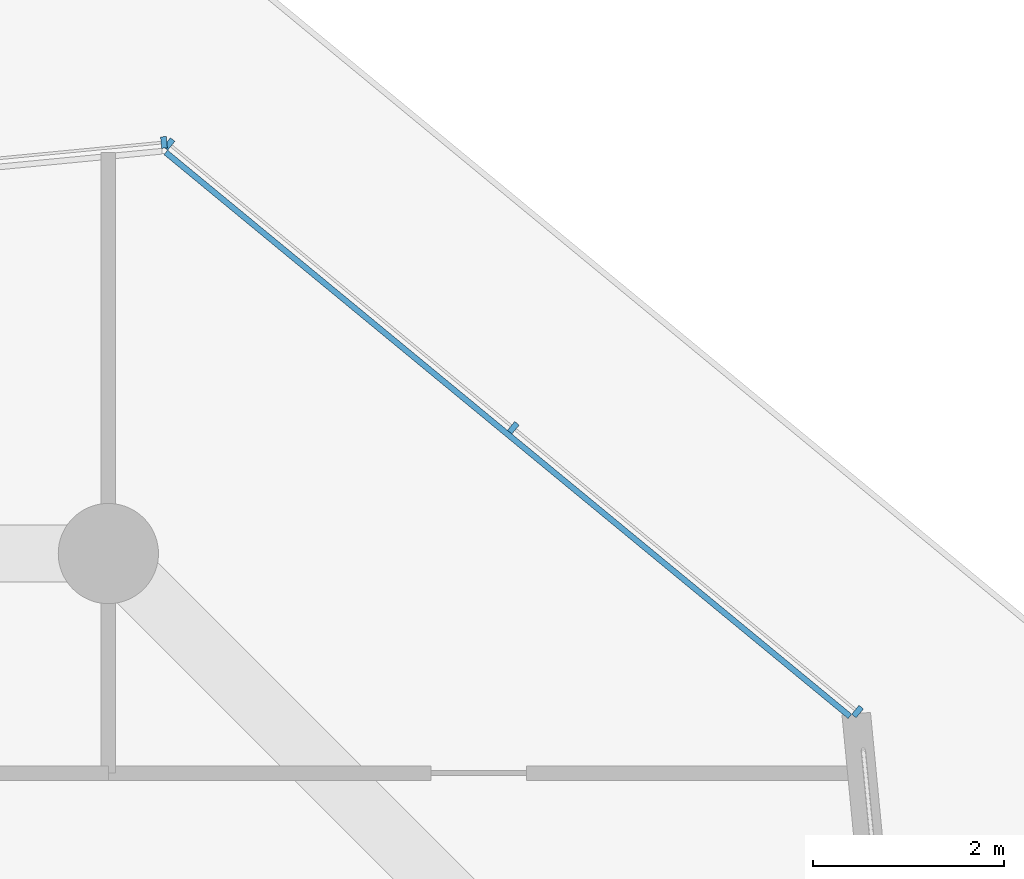
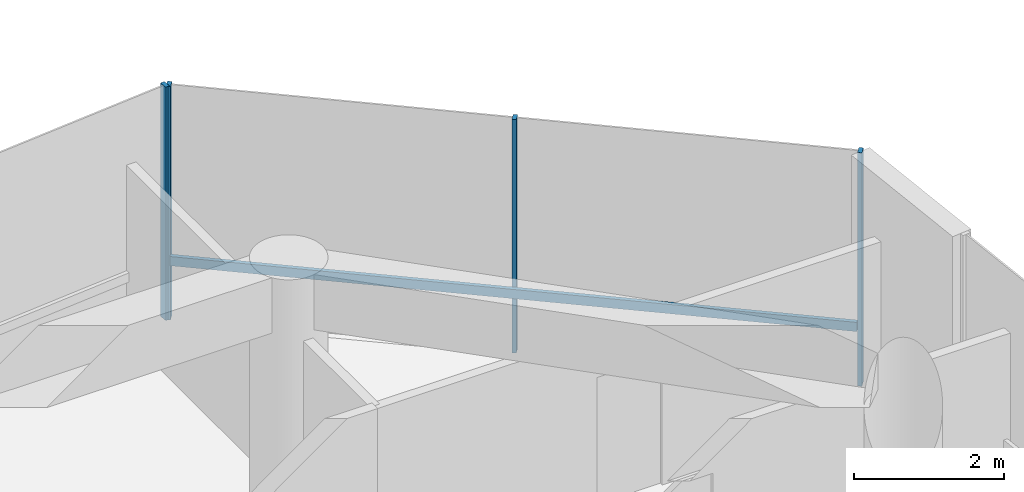
# One storey, part 20 of 30: 5 members, 2 elements without a shape of their own.
"""IFC4 building model written with IfcOpenShell, lengths in metres."""

from ifc_helpers import new_model, si_unit, direction, frame, origin, origin_2d, place, context, subcontext, project, spatial, rectangle, extrude, material, layer, layer_set, material_profile, profile_set, type_object, element, aggregate, save


model = new_model("IFC4")

# Units and contexts
model_context = context("Model", 3, precision=1e-05, world=origin(), true_north=direction((0.0, 1.0)))
body_context = subcontext(model_context, "Body", "Model", "MODEL_VIEW")
ifc_project = project(units=[si_unit("LENGTHUNIT", "METRE"), si_unit("AREAUNIT", "SQUARE_METRE"), si_unit("VOLUMEUNIT", "CUBIC_METRE"), si_unit("PLANEANGLEUNIT", "RADIAN"), si_unit("MASSUNIT", "GRAM", prefix="KILO")], contexts=[model_context])

# Site, building, storey
site_placement = place(None, origin())
site = spatial("IfcSite", under=ifc_project, at=site_placement, CompositionType="ELEMENT")
building_placement = place(site_placement, origin())
building = spatial("IfcBuilding", under=site, at=building_placement, Name="Welwitschia Terrace Campus", CompositionType="ELEMENT")
storey_placement = place(building_placement, frame((0.0, 0.0, 75.199951171875)))
storey = spatial("IfcBuildingStorey", under=building, at=storey_placement, Name="L17", CompositionType="ELEMENT", Elevation=75.199951171875)

# Curtain wall, members
ifc_material_1 = material(Name="Bronze anodised aluminium", Category="aluminium")
ifc_layer = layer(ifc_material_1, 0.1201171875)
ifc_layer_set = layer_set([ifc_layer], Name="Bronze anodised aluminium")
curtain_wall_type = type_object("IfcCurtainWallType", Name="Curtain wall CW2 tower 6000", PredefinedType="NOTDEFINED", material=ifc_layer_set)
curtain_wall_1_placement = place(storey_placement, origin())
curtain_wall_1 = element("IfcCurtainWall", 1, at=curtain_wall_1_placement, inside=storey, type_object=curtain_wall_type, Name="CW L17.8.0", PredefinedType="NOTDEFINED")
ifc_material_2 = material(Name="Bronze anodised aluminium", Category="aluminium")
ifc_material_profile_1 = material_profile(ifc_material_2, rectangle(XDim=0.1201171875, YDim=0.06005859375, at=origin_2d()))
ifc_profile_set_1 = profile_set([ifc_material_profile_1], Name="Bronze anodised aluminium")
member_type_1 = type_object("IfcMemberType", Name="Mullion 60x120", PredefinedType="MULLION", material=ifc_profile_set_1)
member_1_placement = place(storey_placement, frame((67.848876953125, 18.3447265625, 0.0), z_axis=(0.0, 0.0, 1.0), x_axis=(-0.636078220278, -0.771624583388, 0.0)))
member_1 = element("IfcMember", 2, at=member_1_placement, type_object=member_type_1, Name="Mullion L17.8.0.0", PredefinedType="MULLION", context=body_context, shape_type="SweptSolid", body=[
    extrude(rectangle(XDim=0.1201171875, YDim=0.06005859375, at=origin_2d()), origin(), (0.0, 0.0, 1.0), 3.800048828125),
])
member_2_placement = place(storey_placement, frame((64.242431640625, 21.31787109375, 0.0), z_axis=(0.0, 0.0, 1.0), x_axis=(-0.636078220278, -0.771624583388, 0.0)))
member_2 = element("IfcMember", 3, at=member_2_placement, type_object=member_type_1, Name="Mullion L17.8.0.1", PredefinedType="MULLION", context=body_context, shape_type="SweptSolid", body=[
    extrude(rectangle(XDim=0.1201171875, YDim=0.06005859375, at=origin_2d()), origin(), (0.0, 0.0, 1.0), 3.800048828125),
])
member_3_placement = place(storey_placement, frame((60.6357421875, 24.291015625, 0.0), z_axis=(0.0, 0.0, 1.0), x_axis=(-0.636078220278, -0.771624583388, 0.0)))
member_3 = element("IfcMember", 4, at=member_3_placement, type_object=member_type_1, Name="Mullion L17.8.0.2", PredefinedType="MULLION", context=body_context, shape_type="SweptSolid", body=[
    extrude(rectangle(XDim=0.1201171875, YDim=0.06005859375, at=origin_2d()), origin(), (0.0, 0.0, 1.0), 3.800048828125),
])

# Curtain wall, member
curtain_wall_2_placement = place(storey_placement, origin())
curtain_wall_2 = element("IfcCurtainWall", 5, at=curtain_wall_2_placement, inside=storey, type_object=curtain_wall_type, Name="CW L17.9.0", PredefinedType="NOTDEFINED")
member_4_placement = place(storey_placement, frame((60.582763671875, 24.30712890625, 0.0), z_axis=(0.0, 0.0, 1.0), x_axis=(0.09584575252, -0.995396198367, 0.0)))
member_4 = element("IfcMember", 6, at=member_4_placement, type_object=member_type_1, Name="Mullion L17.9.0.0", PredefinedType="MULLION", context=body_context, shape_type="SweptSolid", body=[
    extrude(rectangle(XDim=0.1201171875, YDim=0.06005859375, at=origin_2d()), origin(), (0.0, 0.0, 1.0), 3.800048828125),
])
aggregate(curtain_wall_2, [member_4])

# Member
ifc_material_3 = material(Name="Bronze anodised aluminium", Category="aluminium")
ifc_material_profile_2 = material_profile(ifc_material_3, rectangle(XDim=0.06005859375, YDim=0.14990234375, at=origin_2d()))
ifc_profile_set_2 = profile_set([ifc_material_profile_2], Name="Bronze anodised aluminium")
member_type_2 = type_object("IfcMemberType", Name="Transom 60x150", PredefinedType="USERDEFINED", material=ifc_profile_set_2)
member_5_placement = place(storey_placement, frame((67.7685546875, 18.29443359375, 1.0), z_axis=(-0.771627407977, 0.636074793761, 0.0), x_axis=(-0.636074793761, -0.771627407977, 0.0)))
member_5 = element("IfcMember", 7, at=member_5_placement, type_object=member_type_2, Name="Transom L17.8.0", ObjectType="TRANSOM", PredefinedType="USERDEFINED", context=body_context, shape_type="SweptSolid", body=[
    extrude(rectangle(XDim=0.06005859375, YDim=0.14990234375, at=origin_2d()), origin(), (0.0, 0.0, 1.0), 9.2880859375),
])

aggregate(curtain_wall_1, [member_1, member_2, member_3, member_5])

save(model, "model.ifc")
